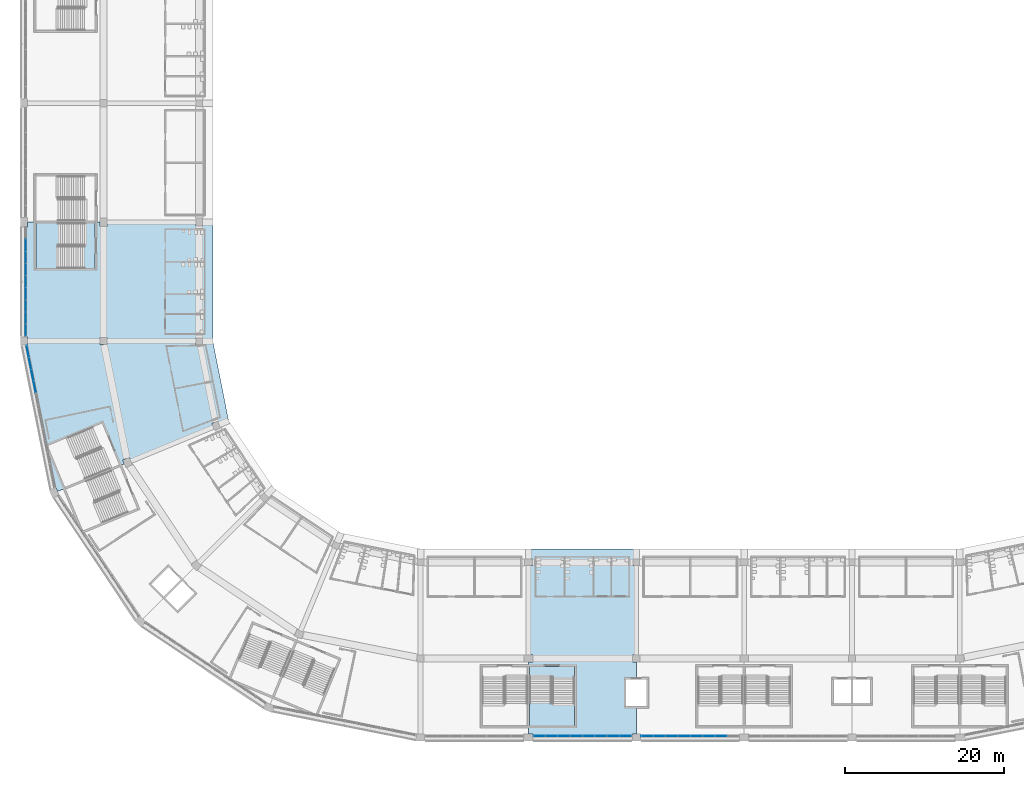
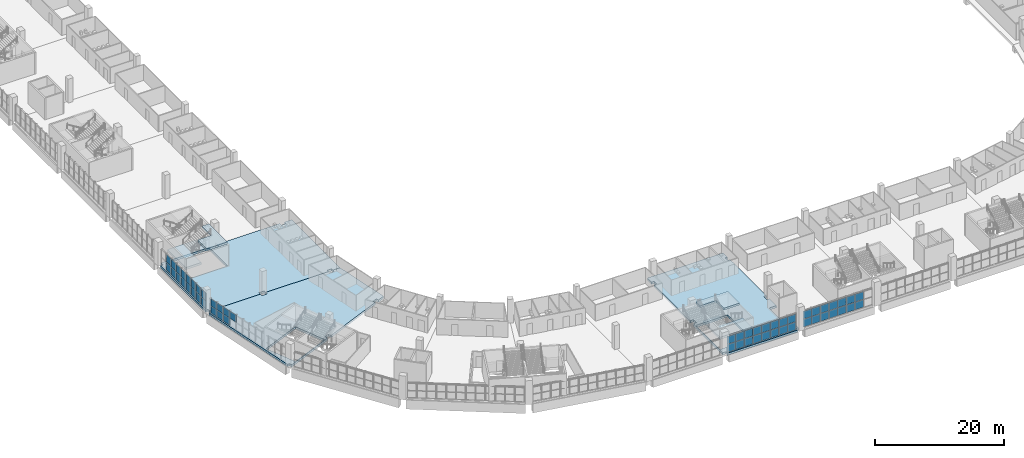
# One storey, part 58 of 199: 53 plates, 7 slabs, 6 elements without a shape of their own.
"""IFC4 building model written with IfcOpenShell, lengths in metres."""

from ifc_helpers import new_model, si_unit, direction, frame, origin, origin_2d, place, context, subcontext, project, spatial, polyline, rectangle, outline, extrude, material, layer, layer_set, type_object, element, aggregate, save


model = new_model("IFC4")

# Units and contexts
model_context = context("Model", 3, precision=1e-05, world=origin(), true_north=direction((0.0, 1.0)))
body_context = subcontext(model_context, "Body", "Model", "MODEL_VIEW")
ifc_project = project(units=[si_unit("LENGTHUNIT", "METRE"), si_unit("AREAUNIT", "SQUARE_METRE"), si_unit("VOLUMEUNIT", "CUBIC_METRE"), si_unit("PLANEANGLEUNIT", "RADIAN"), si_unit("MASSUNIT", "GRAM", prefix="KILO")], contexts=[model_context])

# Site, building, storey
site_placement = place(None, origin())
site = spatial("IfcSite", under=ifc_project, at=site_placement, CompositionType="ELEMENT")
building_placement = place(site_placement, origin())
building = spatial("IfcBuilding", under=site, at=building_placement, Name="Ogive Plaza Stadium", CompositionType="ELEMENT")
storey_placement = place(building_placement, frame((0.0, 0.0, 4.5)))
storey = spatial("IfcBuildingStorey", under=building, at=storey_placement, Name="L01", CompositionType="ELEMENT", Elevation=4.5)

# Curtain wall, plates
ifc_material_1 = material(Name="Bronze-anodised aluminium with laminated glass", Category="aluminium")
curtain_wall_type = type_object("IfcCurtainWallType", Name="Lancet curtain wall", PredefinedType="NOTDEFINED", material=ifc_material_1)
curtain_wall_1_placement = place(storey_placement, origin())
curtain_wall_1 = element("IfcCurtainWall", 1, at=curtain_wall_1_placement, inside=storey, type_object=curtain_wall_type, Name="CURTAIN WALL B14 L01", PredefinedType="NOTDEFINED")
ifc_material_2 = material(Name="Laminated glass", Category="glass")
ifc_layer_1 = layer(ifc_material_2, 0.028076171875)
ifc_layer_set_1 = layer_set([ifc_layer_1], Name="Laminated glass panel 28")
plate_type = type_object("IfcPlateType", Name="Laminated glass panel 28", PredefinedType="CURTAIN_PANEL", material=ifc_layer_set_1)
plate_1_placement = place(storey_placement, frame((3.875, -102.300048828125, 0.0498046875), z_axis=(0.0, 0.0, 1.0), x_axis=(-1.0, 0.0, 0.0)))
plate_1 = element("IfcPlate", 2, at=plate_1_placement, type_object=plate_type, Name="CW-B14-L01 panel 2.1", PredefinedType="CURTAIN_PANEL", context=body_context, shape_type="SweptSolid", body=[
    extrude(rectangle(XDim=1.5, YDim=0.028076171875, at=origin_2d()), origin(), (0.0, 0.0, 1.0), 1.469970703125),
])
plate_2_placement = place(storey_placement, frame((3.875, -102.300048828125, 1.56982421875), z_axis=(0.0, 0.0, 1.0), x_axis=(-1.0, 0.0, 0.0)))
plate_2 = element("IfcPlate", 3, at=plate_2_placement, type_object=plate_type, Name="CW-B14-L01 panel 2.2", PredefinedType="CURTAIN_PANEL", context=body_context, shape_type="SweptSolid", body=[
    extrude(rectangle(XDim=1.5, YDim=0.028076171875, at=origin_2d()), origin(), (0.0, 0.0, 1.0), 1.469970703125),
])
plate_3_placement = place(storey_placement, frame((2.324951171875, -102.300048828125, 0.0498046875), z_axis=(0.0, 0.0, 1.0), x_axis=(-1.0, 0.0, 0.0)))
plate_3 = element("IfcPlate", 4, at=plate_3_placement, type_object=plate_type, Name="CW-B14-L01 panel 3.1", PredefinedType="CURTAIN_PANEL", context=body_context, shape_type="SweptSolid", body=[
    extrude(rectangle(XDim=1.5, YDim=0.028076171875, at=origin_2d()), origin(), (0.0, 0.0, 1.0), 1.469970703125),
])
plate_4_placement = place(storey_placement, frame((2.324951171875, -102.300048828125, 1.56982421875), z_axis=(0.0, 0.0, 1.0), x_axis=(-1.0, 0.0, 0.0)))
plate_4 = element("IfcPlate", 5, at=plate_4_placement, type_object=plate_type, Name="CW-B14-L01 panel 3.2", PredefinedType="CURTAIN_PANEL", context=body_context, shape_type="SweptSolid", body=[
    extrude(rectangle(XDim=1.5, YDim=0.028076171875, at=origin_2d()), origin(), (0.0, 0.0, 1.0), 1.469970703125),
])
plate_5_placement = place(storey_placement, frame((0.77490234375, -102.300048828125, 0.0498046875), z_axis=(0.0, 0.0, 1.0), x_axis=(-1.0, 0.0, 0.0)))
plate_5 = element("IfcPlate", 6, at=plate_5_placement, type_object=plate_type, Name="CW-B14-L01 panel 4.1", PredefinedType="CURTAIN_PANEL", context=body_context, shape_type="SweptSolid", body=[
    extrude(rectangle(XDim=1.5, YDim=0.028076171875, at=origin_2d()), origin(), (0.0, 0.0, 1.0), 1.469970703125),
])
plate_6_placement = place(storey_placement, frame((0.77490234375, -102.300048828125, 1.56982421875), z_axis=(0.0, 0.0, 1.0), x_axis=(-1.0, 0.0, 0.0)))
plate_6 = element("IfcPlate", 7, at=plate_6_placement, type_object=plate_type, Name="CW-B14-L01 panel 4.2", PredefinedType="CURTAIN_PANEL", context=body_context, shape_type="SweptSolid", body=[
    extrude(rectangle(XDim=1.5, YDim=0.028076171875, at=origin_2d()), origin(), (0.0, 0.0, 1.0), 1.469970703125),
])
plate_7_placement = place(storey_placement, frame((-0.77490234375, -102.300048828125, 0.0498046875), z_axis=(0.0, 0.0, 1.0), x_axis=(-1.0, 0.0, 0.0)))
plate_7 = element("IfcPlate", 8, at=plate_7_placement, type_object=plate_type, Name="CW-B14-L01 panel 5.1", PredefinedType="CURTAIN_PANEL", context=body_context, shape_type="SweptSolid", body=[
    extrude(rectangle(XDim=1.5, YDim=0.028076171875, at=origin_2d()), origin(), (0.0, 0.0, 1.0), 1.469970703125),
])
plate_8_placement = place(storey_placement, frame((-0.77490234375, -102.300048828125, 1.56982421875), z_axis=(0.0, 0.0, 1.0), x_axis=(-1.0, 0.0, 0.0)))
plate_8 = element("IfcPlate", 9, at=plate_8_placement, type_object=plate_type, Name="CW-B14-L01 panel 5.2", PredefinedType="CURTAIN_PANEL", context=body_context, shape_type="SweptSolid", body=[
    extrude(rectangle(XDim=1.5, YDim=0.028076171875, at=origin_2d()), origin(), (0.0, 0.0, 1.0), 1.469970703125),
])
plate_9_placement = place(storey_placement, frame((-2.324951171875, -102.300048828125, 0.0498046875), z_axis=(0.0, 0.0, 1.0), x_axis=(-1.0, 0.0, 0.0)))
plate_9 = element("IfcPlate", 10, at=plate_9_placement, type_object=plate_type, Name="CW-B14-L01 panel 6.1", PredefinedType="CURTAIN_PANEL", context=body_context, shape_type="SweptSolid", body=[
    extrude(rectangle(XDim=1.5, YDim=0.028076171875, at=origin_2d()), origin(), (0.0, 0.0, 1.0), 1.469970703125),
])
plate_10_placement = place(storey_placement, frame((-2.324951171875, -102.300048828125, 1.56982421875), z_axis=(0.0, 0.0, 1.0), x_axis=(-1.0, 0.0, 0.0)))
plate_10 = element("IfcPlate", 11, at=plate_10_placement, type_object=plate_type, Name="CW-B14-L01 panel 6.2", PredefinedType="CURTAIN_PANEL", context=body_context, shape_type="SweptSolid", body=[
    extrude(rectangle(XDim=1.5, YDim=0.028076171875, at=origin_2d()), origin(), (0.0, 0.0, 1.0), 1.469970703125),
])
plate_11_placement = place(storey_placement, frame((-3.875, -102.300048828125, 0.0498046875), z_axis=(0.0, 0.0, 1.0), x_axis=(-1.0, 0.0, 0.0)))
plate_11 = element("IfcPlate", 12, at=plate_11_placement, type_object=plate_type, Name="CW-B14-L01 panel 7.1", PredefinedType="CURTAIN_PANEL", context=body_context, shape_type="SweptSolid", body=[
    extrude(rectangle(XDim=1.5, YDim=0.028076171875, at=origin_2d()), origin(), (0.0, 0.0, 1.0), 1.469970703125),
])
plate_12_placement = place(storey_placement, frame((-3.875, -102.300048828125, 1.56982421875), z_axis=(0.0, 0.0, 1.0), x_axis=(-1.0, 0.0, 0.0)))
plate_12 = element("IfcPlate", 13, at=plate_12_placement, type_object=plate_type, Name="CW-B14-L01 panel 7.2", PredefinedType="CURTAIN_PANEL", context=body_context, shape_type="SweptSolid", body=[
    extrude(rectangle(XDim=1.5, YDim=0.028076171875, at=origin_2d()), origin(), (0.0, 0.0, 1.0), 1.469970703125),
])
plate_13_placement = place(storey_placement, frame((-5.41259765625, -102.300048828125, 0.0498046875), z_axis=(0.0, 0.0, 1.0), x_axis=(-1.0, 0.0, 0.0)))
plate_13 = element("IfcPlate", 14, at=plate_13_placement, type_object=plate_type, Name="CW-B14-L01 panel 8.1", PredefinedType="CURTAIN_PANEL", context=body_context, shape_type="SweptSolid", body=[
    extrude(rectangle(XDim=1.47509765625, YDim=0.028076171875, at=origin_2d()), origin(), (0.0, 0.0, 1.0), 1.469970703125),
])
plate_14_placement = place(storey_placement, frame((-5.41259765625, -102.300048828125, 1.56982421875), z_axis=(0.0, 0.0, 1.0), x_axis=(-1.0, 0.0, 0.0)))
plate_14 = element("IfcPlate", 15, at=plate_14_placement, type_object=plate_type, Name="CW-B14-L01 panel 8.2", PredefinedType="CURTAIN_PANEL", context=body_context, shape_type="SweptSolid", body=[
    extrude(rectangle(XDim=1.47509765625, YDim=0.028076171875, at=origin_2d()), origin(), (0.0, 0.0, 1.0), 1.469970703125),
])
aggregate(curtain_wall_1, [plate_1, plate_2, plate_3, plate_4, plate_5, plate_6, plate_7, plate_8, plate_9, plate_10, plate_11, plate_12, plate_13, plate_14])

curtain_wall_2_placement = place(storey_placement, origin())
curtain_wall_2 = element("IfcCurtainWall", 16, at=curtain_wall_2_placement, inside=storey, type_object=curtain_wall_type, Name="CURTAIN WALL B15 L01", PredefinedType="NOTDEFINED")
plate_15_placement = place(storey_placement, frame((-8.1875, -102.300048828125, 0.0498046875), z_axis=(0.0, 0.0, 1.0), x_axis=(-1.0, 0.0, 0.0)))
plate_15 = element("IfcPlate", 17, at=plate_15_placement, type_object=plate_type, Name="CW-B15-L01 panel 1.1", PredefinedType="CURTAIN_PANEL", context=body_context, shape_type="SweptSolid", body=[
    extrude(rectangle(XDim=1.47509765625, YDim=0.028076171875, at=origin_2d()), origin(), (0.0, 0.0, 1.0), 1.469970703125),
])
plate_16_placement = place(storey_placement, frame((-8.1875, -102.300048828125, 1.56982421875), z_axis=(0.0, 0.0, 1.0), x_axis=(-1.0, 0.0, 0.0)))
plate_16 = element("IfcPlate", 18, at=plate_16_placement, type_object=plate_type, Name="CW-B15-L01 panel 1.2", PredefinedType="CURTAIN_PANEL", context=body_context, shape_type="SweptSolid", body=[
    extrude(rectangle(XDim=1.47509765625, YDim=0.028076171875, at=origin_2d()), origin(), (0.0, 0.0, 1.0), 1.469970703125),
])
plate_17_placement = place(storey_placement, frame((-9.72509765625, -102.300048828125, 0.0498046875), z_axis=(0.0, 0.0, 1.0), x_axis=(-1.0, 0.0, 0.0)))
plate_17 = element("IfcPlate", 19, at=plate_17_placement, type_object=plate_type, Name="CW-B15-L01 panel 2.1", PredefinedType="CURTAIN_PANEL", context=body_context, shape_type="SweptSolid", body=[
    extrude(rectangle(XDim=1.5, YDim=0.028076171875, at=origin_2d()), origin(), (0.0, 0.0, 1.0), 1.469970703125),
])
plate_18_placement = place(storey_placement, frame((-9.72509765625, -102.300048828125, 1.56982421875), z_axis=(0.0, 0.0, 1.0), x_axis=(-1.0, 0.0, 0.0)))
plate_18 = element("IfcPlate", 20, at=plate_18_placement, type_object=plate_type, Name="CW-B15-L01 panel 2.2", PredefinedType="CURTAIN_PANEL", context=body_context, shape_type="SweptSolid", body=[
    extrude(rectangle(XDim=1.5, YDim=0.028076171875, at=origin_2d()), origin(), (0.0, 0.0, 1.0), 1.469970703125),
])
plate_19_placement = place(storey_placement, frame((-11.27490234375, -102.300048828125, 0.0498046875), z_axis=(0.0, 0.0, 1.0), x_axis=(-1.0, 0.0, 0.0)))
plate_19 = element("IfcPlate", 21, at=plate_19_placement, type_object=plate_type, Name="CW-B15-L01 panel 3.1", PredefinedType="CURTAIN_PANEL", context=body_context, shape_type="SweptSolid", body=[
    extrude(rectangle(XDim=1.5, YDim=0.028076171875, at=origin_2d()), origin(), (0.0, 0.0, 1.0), 1.469970703125),
])
plate_20_placement = place(storey_placement, frame((-11.27490234375, -102.300048828125, 1.56982421875), z_axis=(0.0, 0.0, 1.0), x_axis=(-1.0, 0.0, 0.0)))
plate_20 = element("IfcPlate", 22, at=plate_20_placement, type_object=plate_type, Name="CW-B15-L01 panel 3.2", PredefinedType="CURTAIN_PANEL", context=body_context, shape_type="SweptSolid", body=[
    extrude(rectangle(XDim=1.5, YDim=0.028076171875, at=origin_2d()), origin(), (0.0, 0.0, 1.0), 1.469970703125),
])
plate_21_placement = place(storey_placement, frame((-12.824951171875, -102.300048828125, 0.0498046875), z_axis=(0.0, 0.0, 1.0), x_axis=(-1.0, 0.0, 0.0)))
plate_21 = element("IfcPlate", 23, at=plate_21_placement, type_object=plate_type, Name="CW-B15-L01 panel 4.1", PredefinedType="CURTAIN_PANEL", context=body_context, shape_type="SweptSolid", body=[
    extrude(rectangle(XDim=1.5, YDim=0.028076171875, at=origin_2d()), origin(), (0.0, 0.0, 1.0), 1.469970703125),
])
plate_22_placement = place(storey_placement, frame((-12.824951171875, -102.300048828125, 1.56982421875), z_axis=(0.0, 0.0, 1.0), x_axis=(-1.0, 0.0, 0.0)))
plate_22 = element("IfcPlate", 24, at=plate_22_placement, type_object=plate_type, Name="CW-B15-L01 panel 4.2", PredefinedType="CURTAIN_PANEL", context=body_context, shape_type="SweptSolid", body=[
    extrude(rectangle(XDim=1.5, YDim=0.028076171875, at=origin_2d()), origin(), (0.0, 0.0, 1.0), 1.469970703125),
])
plate_23_placement = place(storey_placement, frame((-14.375, -102.300048828125, 0.0498046875), z_axis=(0.0, 0.0, 1.0), x_axis=(-1.0, 0.0, 0.0)))
plate_23 = element("IfcPlate", 25, at=plate_23_placement, type_object=plate_type, Name="CW-B15-L01 panel 5.1", PredefinedType="CURTAIN_PANEL", context=body_context, shape_type="SweptSolid", body=[
    extrude(rectangle(XDim=1.5, YDim=0.028076171875, at=origin_2d()), origin(), (0.0, 0.0, 1.0), 1.469970703125),
])
plate_24_placement = place(storey_placement, frame((-14.375, -102.300048828125, 1.56982421875), z_axis=(0.0, 0.0, 1.0), x_axis=(-1.0, 0.0, 0.0)))
plate_24 = element("IfcPlate", 26, at=plate_24_placement, type_object=plate_type, Name="CW-B15-L01 panel 5.2", PredefinedType="CURTAIN_PANEL", context=body_context, shape_type="SweptSolid", body=[
    extrude(rectangle(XDim=1.5, YDim=0.028076171875, at=origin_2d()), origin(), (0.0, 0.0, 1.0), 1.469970703125),
])
plate_25_placement = place(storey_placement, frame((-15.925048828125, -102.300048828125, 0.0498046875), z_axis=(0.0, 0.0, 1.0), x_axis=(-1.0, 0.0, 0.0)))
plate_25 = element("IfcPlate", 27, at=plate_25_placement, type_object=plate_type, Name="CW-B15-L01 panel 6.1", PredefinedType="CURTAIN_PANEL", context=body_context, shape_type="SweptSolid", body=[
    extrude(rectangle(XDim=1.5, YDim=0.028076171875, at=origin_2d()), origin(), (0.0, 0.0, 1.0), 1.469970703125),
])
plate_26_placement = place(storey_placement, frame((-15.925048828125, -102.300048828125, 1.56982421875), z_axis=(0.0, 0.0, 1.0), x_axis=(-1.0, 0.0, 0.0)))
plate_26 = element("IfcPlate", 28, at=plate_26_placement, type_object=plate_type, Name="CW-B15-L01 panel 6.2", PredefinedType="CURTAIN_PANEL", context=body_context, shape_type="SweptSolid", body=[
    extrude(rectangle(XDim=1.5, YDim=0.028076171875, at=origin_2d()), origin(), (0.0, 0.0, 1.0), 1.469970703125),
])
plate_27_placement = place(storey_placement, frame((-17.47509765625, -102.300048828125, 0.0498046875), z_axis=(0.0, 0.0, 1.0), x_axis=(-1.0, 0.0, 0.0)))
plate_27 = element("IfcPlate", 29, at=plate_27_placement, type_object=plate_type, Name="CW-B15-L01 panel 7.1", PredefinedType="CURTAIN_PANEL", context=body_context, shape_type="SweptSolid", body=[
    extrude(rectangle(XDim=1.5, YDim=0.028076171875, at=origin_2d()), origin(), (0.0, 0.0, 1.0), 1.469970703125),
])
plate_28_placement = place(storey_placement, frame((-17.47509765625, -102.300048828125, 1.56982421875), z_axis=(0.0, 0.0, 1.0), x_axis=(-1.0, 0.0, 0.0)))
plate_28 = element("IfcPlate", 30, at=plate_28_placement, type_object=plate_type, Name="CW-B15-L01 panel 7.2", PredefinedType="CURTAIN_PANEL", context=body_context, shape_type="SweptSolid", body=[
    extrude(rectangle(XDim=1.5, YDim=0.028076171875, at=origin_2d()), origin(), (0.0, 0.0, 1.0), 1.469970703125),
])
plate_29_placement = place(storey_placement, frame((-19.012451171875, -102.300048828125, 0.0498046875), z_axis=(0.0, 0.0, 1.0), x_axis=(-1.0, 0.0, 0.0)))
plate_29 = element("IfcPlate", 31, at=plate_29_placement, type_object=plate_type, Name="CW-B15-L01 panel 8.1", PredefinedType="CURTAIN_PANEL", context=body_context, shape_type="SweptSolid", body=[
    extrude(rectangle(XDim=1.47509765625, YDim=0.028076171875, at=origin_2d()), origin(), (0.0, 0.0, 1.0), 1.469970703125),
])
plate_30_placement = place(storey_placement, frame((-19.012451171875, -102.300048828125, 1.56982421875), z_axis=(0.0, 0.0, 1.0), x_axis=(-1.0, 0.0, 0.0)))
plate_30 = element("IfcPlate", 32, at=plate_30_placement, type_object=plate_type, Name="CW-B15-L01 panel 8.2", PredefinedType="CURTAIN_PANEL", context=body_context, shape_type="SweptSolid", body=[
    extrude(rectangle(XDim=1.47509765625, YDim=0.028076171875, at=origin_2d()), origin(), (0.0, 0.0, 1.0), 1.469970703125),
])
aggregate(curtain_wall_2, [plate_15, plate_16, plate_17, plate_18, plate_19, plate_20, plate_21, plate_22, plate_23, plate_24, plate_25, plate_26, plate_27, plate_28, plate_29, plate_30])

curtain_wall_3_placement = place(storey_placement, origin())
curtain_wall_3 = element("IfcCurtainWall", 33, at=curtain_wall_3_placement, inside=storey, type_object=curtain_wall_type, Name="CURTAIN WALL B20 L01", PredefinedType="NOTDEFINED")
plate_31_placement = place(storey_placement, frame((-82.643310546875, -58.29541015625, 1.419921875), z_axis=(0.0, 0.0, 1.0), x_axis=(-0.195090322033, 0.9807852804, 0.0)))
plate_31 = element("IfcPlate", 34, at=plate_31_placement, type_object=plate_type, Name="CW-B20-L01 panel 9.2", PredefinedType="CURTAIN_PANEL", context=body_context, shape_type="SweptSolid", body=[
    extrude(rectangle(XDim=1.472412109375, YDim=0.028076171875, at=origin_2d()), origin(), (0.0, 0.0, 1.0), 1.320068359375),
])
plate_32_placement = place(storey_placement, frame((-82.9404296875, -56.80224609375, 0.0498046875), z_axis=(0.0, 0.0, 1.0), x_axis=(-0.195090322033, 0.9807852804, 0.0)))
plate_32 = element("IfcPlate", 35, at=plate_32_placement, type_object=plate_type, Name="CW-B20-L01 panel 10.1", PredefinedType="CURTAIN_PANEL", context=body_context, shape_type="SweptSolid", body=[
    extrude(rectangle(XDim=1.472412109375, YDim=0.028076171875, at=origin_2d()), origin(), (0.0, 0.0, 1.0), 1.320068359375),
])
plate_33_placement = place(storey_placement, frame((-82.9404296875, -56.80224609375, 1.419921875), z_axis=(0.0, 0.0, 1.0), x_axis=(-0.195090322033, 0.9807852804, 0.0)))
plate_33 = element("IfcPlate", 36, at=plate_33_placement, type_object=plate_type, Name="CW-B20-L01 panel 10.2", PredefinedType="CURTAIN_PANEL", context=body_context, shape_type="SweptSolid", body=[
    extrude(rectangle(XDim=1.472412109375, YDim=0.028076171875, at=origin_2d()), origin(), (0.0, 0.0, 1.0), 1.320068359375),
])
plate_34_placement = place(storey_placement, frame((-83.2373046875, -55.30908203125, 0.0498046875), z_axis=(0.0, 0.0, 1.0), x_axis=(-0.195090322033, 0.9807852804, 0.0)))
plate_34 = element("IfcPlate", 37, at=plate_34_placement, type_object=plate_type, Name="CW-B20-L01 panel 11.1", PredefinedType="CURTAIN_PANEL", context=body_context, shape_type="SweptSolid", body=[
    extrude(rectangle(XDim=1.472412109375, YDim=0.028076171875, at=origin_2d()), origin(), (0.0, 0.0, 1.0), 1.320068359375),
])
plate_35_placement = place(storey_placement, frame((-83.2373046875, -55.30908203125, 1.419921875), z_axis=(0.0, 0.0, 1.0), x_axis=(-0.195090322033, 0.9807852804, 0.0)))
plate_35 = element("IfcPlate", 38, at=plate_35_placement, type_object=plate_type, Name="CW-B20-L01 panel 11.2", PredefinedType="CURTAIN_PANEL", context=body_context, shape_type="SweptSolid", body=[
    extrude(rectangle(XDim=1.472412109375, YDim=0.028076171875, at=origin_2d()), origin(), (0.0, 0.0, 1.0), 1.320068359375),
])
plate_36_placement = place(storey_placement, frame((-83.531982421875, -53.828369140625, 0.0498046875), z_axis=(0.0, 0.0, 1.0), x_axis=(-0.195090322033, 0.9807852804, 0.0)))
plate_36 = element("IfcPlate", 39, at=plate_36_placement, type_object=plate_type, Name="CW-B20-L01 panel 12.1", PredefinedType="CURTAIN_PANEL", context=body_context, shape_type="SweptSolid", body=[
    extrude(rectangle(XDim=1.447265625, YDim=0.028076171875, at=origin_2d()), origin(), (0.0, 0.0, 1.0), 1.320068359375),
])
plate_37_placement = place(storey_placement, frame((-83.531982421875, -53.828369140625, 1.419921875), z_axis=(0.0, 0.0, 1.0), x_axis=(-0.195090322033, 0.9807852804, 0.0)))
plate_37 = element("IfcPlate", 40, at=plate_37_placement, type_object=plate_type, Name="CW-B20-L01 panel 12.2", PredefinedType="CURTAIN_PANEL", context=body_context, shape_type="SweptSolid", body=[
    extrude(rectangle(XDim=1.447265625, YDim=0.028076171875, at=origin_2d()), origin(), (0.0, 0.0, 1.0), 1.320068359375),
])
aggregate(curtain_wall_3, [plate_31, plate_32, plate_33, plate_34, plate_35, plate_36, plate_37])

curtain_wall_4_placement = place(storey_placement, origin())
curtain_wall_4 = element("IfcCurtainWall", 41, at=curtain_wall_4_placement, inside=storey, type_object=curtain_wall_type, Name="CURTAIN WALL B21 L01", PredefinedType="NOTDEFINED")
plate_38_placement = place(storey_placement, frame((-83.800048828125, -51.120849609375, 0.0498046875), z_axis=(0.0, 0.0, 1.0), x_axis=(0.0, 1.0, 0.0)))
plate_38 = element("IfcPlate", 42, at=plate_38_placement, type_object=plate_type, Name="CW-B21-L01 panel 1.1", PredefinedType="CURTAIN_PANEL", context=body_context, shape_type="SweptSolid", body=[
    extrude(rectangle(XDim=1.458251953125, YDim=0.028076171875, at=origin_2d()), origin(), (0.0, 0.0, 1.0), 1.469970703125),
])
plate_39_placement = place(storey_placement, frame((-83.800048828125, -51.120849609375, 1.56982421875), z_axis=(0.0, 0.0, 1.0), x_axis=(0.0, 1.0, 0.0)))
plate_39 = element("IfcPlate", 43, at=plate_39_placement, type_object=plate_type, Name="CW-B21-L01 panel 1.2", PredefinedType="CURTAIN_PANEL", context=body_context, shape_type="SweptSolid", body=[
    extrude(rectangle(XDim=1.458251953125, YDim=0.028076171875, at=origin_2d()), origin(), (0.0, 0.0, 1.0), 1.469970703125),
])
plate_40_placement = place(storey_placement, frame((-83.800048828125, -49.60009765625, 0.0498046875), z_axis=(0.0, 0.0, 1.0), x_axis=(0.0, 1.0, 0.0)))
plate_40 = element("IfcPlate", 44, at=plate_40_placement, type_object=plate_type, Name="CW-B21-L01 panel 2.1", PredefinedType="CURTAIN_PANEL", context=body_context, shape_type="SweptSolid", body=[
    extrude(rectangle(XDim=1.4833984375, YDim=0.028076171875, at=origin_2d()), origin(), (0.0, 0.0, 1.0), 1.469970703125),
])
plate_41_placement = place(storey_placement, frame((-83.800048828125, -49.60009765625, 1.56982421875), z_axis=(0.0, 0.0, 1.0), x_axis=(0.0, 1.0, 0.0)))
plate_41 = element("IfcPlate", 45, at=plate_41_placement, type_object=plate_type, Name="CW-B21-L01 panel 2.2", PredefinedType="CURTAIN_PANEL", context=body_context, shape_type="SweptSolid", body=[
    extrude(rectangle(XDim=1.4833984375, YDim=0.028076171875, at=origin_2d()), origin(), (0.0, 0.0, 1.0), 1.469970703125),
])
plate_42_placement = place(storey_placement, frame((-83.800048828125, -48.066650390625, 0.0498046875), z_axis=(0.0, 0.0, 1.0), x_axis=(0.0, 1.0, 0.0)))
plate_42 = element("IfcPlate", 46, at=plate_42_placement, type_object=plate_type, Name="CW-B21-L01 panel 3.1", PredefinedType="CURTAIN_PANEL", context=body_context, shape_type="SweptSolid", body=[
    extrude(rectangle(XDim=1.4833984375, YDim=0.028076171875, at=origin_2d()), origin(), (0.0, 0.0, 1.0), 1.469970703125),
])
plate_43_placement = place(storey_placement, frame((-83.800048828125, -48.066650390625, 1.56982421875), z_axis=(0.0, 0.0, 1.0), x_axis=(0.0, 1.0, 0.0)))
plate_43 = element("IfcPlate", 47, at=plate_43_placement, type_object=plate_type, Name="CW-B21-L01 panel 3.2", PredefinedType="CURTAIN_PANEL", context=body_context, shape_type="SweptSolid", body=[
    extrude(rectangle(XDim=1.4833984375, YDim=0.028076171875, at=origin_2d()), origin(), (0.0, 0.0, 1.0), 1.469970703125),
])
plate_44_placement = place(storey_placement, frame((-83.800048828125, -46.533447265625, 0.0498046875), z_axis=(0.0, 0.0, 1.0), x_axis=(0.0, 1.0, 0.0)))
plate_44 = element("IfcPlate", 48, at=plate_44_placement, type_object=plate_type, Name="CW-B21-L01 panel 4.1", PredefinedType="CURTAIN_PANEL", context=body_context, shape_type="SweptSolid", body=[
    extrude(rectangle(XDim=1.4833984375, YDim=0.028076171875, at=origin_2d()), origin(), (0.0, 0.0, 1.0), 1.469970703125),
])
plate_45_placement = place(storey_placement, frame((-83.800048828125, -46.533447265625, 1.56982421875), z_axis=(0.0, 0.0, 1.0), x_axis=(0.0, 1.0, 0.0)))
plate_45 = element("IfcPlate", 49, at=plate_45_placement, type_object=plate_type, Name="CW-B21-L01 panel 4.2", PredefinedType="CURTAIN_PANEL", context=body_context, shape_type="SweptSolid", body=[
    extrude(rectangle(XDim=1.4833984375, YDim=0.028076171875, at=origin_2d()), origin(), (0.0, 0.0, 1.0), 1.469970703125),
])
plate_46_placement = place(storey_placement, frame((-83.800048828125, -45.0, 0.0498046875), z_axis=(0.0, 0.0, 1.0), x_axis=(0.0, 1.0, 0.0)))
plate_46 = element("IfcPlate", 50, at=plate_46_placement, type_object=plate_type, Name="CW-B21-L01 panel 5.1", PredefinedType="CURTAIN_PANEL", context=body_context, shape_type="SweptSolid", body=[
    extrude(rectangle(XDim=1.4833984375, YDim=0.028076171875, at=origin_2d()), origin(), (0.0, 0.0, 1.0), 1.469970703125),
])
plate_47_placement = place(storey_placement, frame((-83.800048828125, -45.0, 1.56982421875), z_axis=(0.0, 0.0, 1.0), x_axis=(0.0, 1.0, 0.0)))
plate_47 = element("IfcPlate", 51, at=plate_47_placement, type_object=plate_type, Name="CW-B21-L01 panel 5.2", PredefinedType="CURTAIN_PANEL", context=body_context, shape_type="SweptSolid", body=[
    extrude(rectangle(XDim=1.4833984375, YDim=0.028076171875, at=origin_2d()), origin(), (0.0, 0.0, 1.0), 1.469970703125),
])
plate_48_placement = place(storey_placement, frame((-83.800048828125, -43.466552734375, 0.0498046875), z_axis=(0.0, 0.0, 1.0), x_axis=(0.0, 1.0, 0.0)))
plate_48 = element("IfcPlate", 52, at=plate_48_placement, type_object=plate_type, Name="CW-B21-L01 panel 6.1", PredefinedType="CURTAIN_PANEL", context=body_context, shape_type="SweptSolid", body=[
    extrude(rectangle(XDim=1.4833984375, YDim=0.028076171875, at=origin_2d()), origin(), (0.0, 0.0, 1.0), 1.469970703125),
])
plate_49_placement = place(storey_placement, frame((-83.800048828125, -43.466552734375, 1.56982421875), z_axis=(0.0, 0.0, 1.0), x_axis=(0.0, 1.0, 0.0)))
plate_49 = element("IfcPlate", 53, at=plate_49_placement, type_object=plate_type, Name="CW-B21-L01 panel 6.2", PredefinedType="CURTAIN_PANEL", context=body_context, shape_type="SweptSolid", body=[
    extrude(rectangle(XDim=1.4833984375, YDim=0.028076171875, at=origin_2d()), origin(), (0.0, 0.0, 1.0), 1.469970703125),
])
plate_50_placement = place(storey_placement, frame((-83.800048828125, -41.933349609375, 0.0498046875), z_axis=(0.0, 0.0, 1.0), x_axis=(0.0, 1.0, 0.0)))
plate_50 = element("IfcPlate", 54, at=plate_50_placement, type_object=plate_type, Name="CW-B21-L01 panel 7.1", PredefinedType="CURTAIN_PANEL", context=body_context, shape_type="SweptSolid", body=[
    extrude(rectangle(XDim=1.4833984375, YDim=0.028076171875, at=origin_2d()), origin(), (0.0, 0.0, 1.0), 1.469970703125),
])
plate_51_placement = place(storey_placement, frame((-83.800048828125, -41.933349609375, 1.56982421875), z_axis=(0.0, 0.0, 1.0), x_axis=(0.0, 1.0, 0.0)))
plate_51 = element("IfcPlate", 55, at=plate_51_placement, type_object=plate_type, Name="CW-B21-L01 panel 7.2", PredefinedType="CURTAIN_PANEL", context=body_context, shape_type="SweptSolid", body=[
    extrude(rectangle(XDim=1.4833984375, YDim=0.028076171875, at=origin_2d()), origin(), (0.0, 0.0, 1.0), 1.469970703125),
])
plate_52_placement = place(storey_placement, frame((-83.800048828125, -40.39990234375, 0.0498046875), z_axis=(0.0, 0.0, 1.0), x_axis=(0.0, 1.0, 0.0)))
plate_52 = element("IfcPlate", 56, at=plate_52_placement, type_object=plate_type, Name="CW-B21-L01 panel 8.1", PredefinedType="CURTAIN_PANEL", context=body_context, shape_type="SweptSolid", body=[
    extrude(rectangle(XDim=1.4833984375, YDim=0.028076171875, at=origin_2d()), origin(), (0.0, 0.0, 1.0), 1.469970703125),
])
plate_53_placement = place(storey_placement, frame((-83.800048828125, -40.39990234375, 1.56982421875), z_axis=(0.0, 0.0, 1.0), x_axis=(0.0, 1.0, 0.0)))
plate_53 = element("IfcPlate", 57, at=plate_53_placement, type_object=plate_type, Name="CW-B21-L01 panel 8.2", PredefinedType="CURTAIN_PANEL", context=body_context, shape_type="SweptSolid", body=[
    extrude(rectangle(XDim=1.4833984375, YDim=0.028076171875, at=origin_2d()), origin(), (0.0, 0.0, 1.0), 1.469970703125),
])
aggregate(curtain_wall_4, [plate_38, plate_39, plate_40, plate_41, plate_42, plate_43, plate_44, plate_45, plate_46, plate_47, plate_48, plate_49, plate_50, plate_51, plate_52, plate_53])

# Slabs
ifc_material_3 = material(Name="Concrete C40/50", Category="concrete")
ifc_layer_2 = layer(ifc_material_3, 0.409912109375)
ifc_layer_set_2 = layer_set([ifc_layer_2], Name="Concrete C40/50")
slab_type_1 = type_object("IfcSlabType", Name="RC floor slab 410", PredefinedType="FLOOR", material=ifc_layer_set_2)
slab_1_placement = place(storey_placement, frame((0.0, 0.0, -0.409912109375)))
element("IfcSlab", 58, at=slab_1_placement, inside=storey, type_object=slab_type_1, Name="Floor slab L01 B15", PredefinedType="FLOOR", context=body_context, shape_type="SweptSolid", body=[
    extrude(outline(polyline([(-20.39990234375, -80.0), (-19.89990234375, -80.0), (-19.89990234375, -80.800048828125), (-20.39990234375, -80.800048828125), (-20.39990234375, -92.050048828125), (-19.85009765625, -92.050048828125), (-19.85009765625, -92.949951171875), (-20.39990234375, -92.949951171875), (-20.39990234375, -102.050048828125), (-19.800048828125, -102.050048828125), (-19.800048828125, -102.5), (-7.300048828125, -102.5), (-7.300048828125, -102.050048828125), (-6.800048828125, -102.050048828125), (-6.800048828125, -98.550048828125), (-8.10009765625, -98.550048828125), (-8.10009765625, -95.14990234375), (-6.800048828125, -95.14990234375), (-6.800048828125, -92.949951171875), (-7.25, -92.949951171875), (-7.25, -92.050048828125), (-6.800048828125, -92.050048828125), (-6.800048828125, -80.800048828125), (-7.199951171875, -80.800048828125), (-7.199951171875, -80.0), (-6.800048828125, -80.0), (-6.800048828125, -78.699951171875), (-20.39990234375, -78.699951171875), (-20.39990234375, -80.0)]), holes=[polyline([(-14.574951171875, -93.550048828125), (-20.27490234375, -93.550048828125), (-20.27490234375, -101.010009765625), (-14.574951171875, -101.010009765625), (-14.574951171875, -93.550048828125)])]), origin(), (0.0, 0.0, 1.0), 0.409912109375),
])
slab_2_placement = place(storey_placement, frame((0.0, 0.0, -0.409912109375)))
element("IfcSlab", 59, at=slab_2_placement, inside=storey, type_object=slab_type_1, Name="Floor slab L01 B20", PredefinedType="FLOOR", context=body_context, shape_type="SweptSolid", body=[
    extrude(outline(polyline([(-61.5, -52.5), (-61.5, -52.89990234375), (-62.300048828125, -52.89990234375), (-62.300048828125, -52.5), (-73.550048828125, -52.5), (-73.550048828125, -52.949951171875), (-74.449951171875, -52.949951171875), (-74.449951171875, -52.5), (-83.550048828125, -52.5), (-83.550048828125, -53.0), (-83.900634765625, -53.0), (-80.303466796875, -71.084228515625), (-79.98876953125, -70.953857421875), (-79.7783203125, -71.4619140625), (-71.370849609375, -67.9794921875), (-71.562255859375, -67.517578125), (-70.730712890625, -67.173095703125), (-70.53955078125, -67.635009765625), (-60.145751953125, -63.329833984375), (-60.318115234375, -62.914306640625), (-59.578857421875, -62.608154296875), (-59.40673828125, -63.023681640625), (-58.20556640625, -62.5263671875), (-60.199951171875, -52.5), (-61.5, -52.5)]), holes=[polyline([(-71.97314453125, -68.09375), (-74.154296875, -62.82763671875), (-81.046630859375, -65.682373046875), (-78.865234375, -70.948486328125), (-71.97314453125, -68.09375)])]), origin(), (0.0, 0.0, 1.0), 0.409912109375),
])
slab_3_placement = place(storey_placement, frame((0.0, 0.0, -0.409912109375)))
element("IfcSlab", 60, at=slab_3_placement, inside=storey, type_object=slab_type_1, Name="Floor slab L01 B21", PredefinedType="FLOOR", context=body_context, shape_type="SweptSolid", body=[
    extrude(outline(polyline([(-61.5, -37.5), (-61.5, -38.0), (-62.300048828125, -38.0), (-62.300048828125, -37.5), (-73.550048828125, -37.5), (-73.550048828125, -38.050048828125), (-74.449951171875, -38.050048828125), (-74.449951171875, -37.5), (-83.550048828125, -37.5), (-83.550048828125, -38.10009765625), (-84.0, -38.10009765625), (-84.0, -52.0), (-83.550048828125, -52.0), (-83.550048828125, -52.5), (-74.449951171875, -52.5), (-74.449951171875, -52.050048828125), (-73.550048828125, -52.050048828125), (-73.550048828125, -52.5), (-62.300048828125, -52.5), (-62.300048828125, -52.10009765625), (-61.5, -52.10009765625), (-61.5, -52.5), (-60.199951171875, -52.5), (-60.199951171875, -37.5), (-61.5, -37.5)]), holes=[polyline([(-75.050048828125, -43.324951171875), (-75.050048828125, -37.625), (-82.510009765625, -37.625), (-82.510009765625, -43.324951171875), (-75.050048828125, -43.324951171875)])]), origin(), (0.0, 0.0, 1.0), 0.409912109375),
])

# Stair, slabs
ifc_material_4 = material(Name="Concrete C40/50", Category="concrete")
stair_type = type_object("IfcStairType", Name="Exit stair", PredefinedType="STRAIGHT_RUN_STAIR", material=ifc_material_4)
stair_1_placement = place(storey_placement, origin())
stair_1 = element("IfcStair", 61, at=stair_1_placement, inside=storey, type_object=stair_type, Name="Exit stair ST16B L01 to L02", PredefinedType="STRAIGHT_RUN_STAIR")
ifc_material_5 = material(Name="Concrete C40/50", Category="concrete")
ifc_layer_3 = layer(ifc_material_5, 0.39990234375)
ifc_layer_set_3 = layer_set([ifc_layer_3], Name="Concrete C40/50")
slab_type_2 = type_object("IfcSlabType", Name="Stair landing", PredefinedType="LANDING", material=ifc_layer_set_3)
slab_4_placement = place(storey_placement, frame((0.0, 0.0, 1.85009765625)))
slab_4 = element("IfcSlab", 62, at=slab_4_placement, type_object=slab_type_2, Name="ST16B landing 1", PredefinedType="LANDING", context=body_context, shape_type="SweptSolid", body=[
    extrude(outline(polyline([(-20.27490234375, -95.81005859375), (-17.47509765625, -95.81005859375), (-17.47509765625, -98.2099609375), (-14.574951171875, -98.2099609375), (-14.574951171875, -101.010009765625), (-20.27490234375, -101.010009765625), (-20.27490234375, -98.2099609375), (-20.27490234375, -95.81005859375)])), origin(), (0.0, 0.0, 1.0), 0.39990234375),
])
slab_5_placement = place(storey_placement, frame((0.0, 0.0, 4.10009765625)))
slab_5 = element("IfcSlab", 63, at=slab_5_placement, type_object=slab_type_2, Name="ST16B landing 2", PredefinedType="LANDING", context=body_context, shape_type="SweptSolid", body=[
    extrude(outline(polyline([(-20.27490234375, -94.85009765625), (-20.27490234375, -93.550048828125), (-14.574951171875, -93.550048828125), (-14.574951171875, -94.85009765625), (-14.574951171875, -97.25), (-17.375, -97.25), (-17.375, -94.85009765625), (-20.27490234375, -94.85009765625)])), origin(), (0.0, 0.0, 1.0), 0.39990234375),
])
aggregate(stair_1, [slab_4, slab_5])

stair_2_placement = place(storey_placement, origin())
stair_2 = element("IfcStair", 64, at=stair_2_placement, inside=storey, type_object=stair_type, Name="Exit stair ST22B L01 to L02", PredefinedType="STRAIGHT_RUN_STAIR")
slab_6_placement = place(storey_placement, frame((0.0, 0.0, 1.85009765625)))
slab_6 = element("IfcSlab", 65, at=slab_6_placement, type_object=slab_type_2, Name="ST22B landing 1", PredefinedType="LANDING", context=body_context, shape_type="SweptSolid", body=[
    extrude(outline(polyline([(-77.31005859375, -37.625), (-77.31005859375, -40.425048828125), (-79.7099609375, -40.425048828125), (-79.7099609375, -43.324951171875), (-82.510009765625, -43.324951171875), (-82.510009765625, -37.625), (-79.7099609375, -37.625), (-77.31005859375, -37.625)])), origin(), (0.0, 0.0, 1.0), 0.39990234375),
])
slab_7_placement = place(storey_placement, frame((0.0, 0.0, 4.10009765625)))
slab_7 = element("IfcSlab", 66, at=slab_7_placement, type_object=slab_type_2, Name="ST22B landing 2", PredefinedType="LANDING", context=body_context, shape_type="SweptSolid", body=[
    extrude(outline(polyline([(-76.35009765625, -37.625), (-75.050048828125, -37.625), (-75.050048828125, -43.324951171875), (-76.35009765625, -43.324951171875), (-78.75, -43.324951171875), (-78.75, -40.52490234375), (-76.35009765625, -40.52490234375), (-76.35009765625, -37.625)])), origin(), (0.0, 0.0, 1.0), 0.39990234375),
])
aggregate(stair_2, [slab_6, slab_7])

save(model, "model.ifc")
